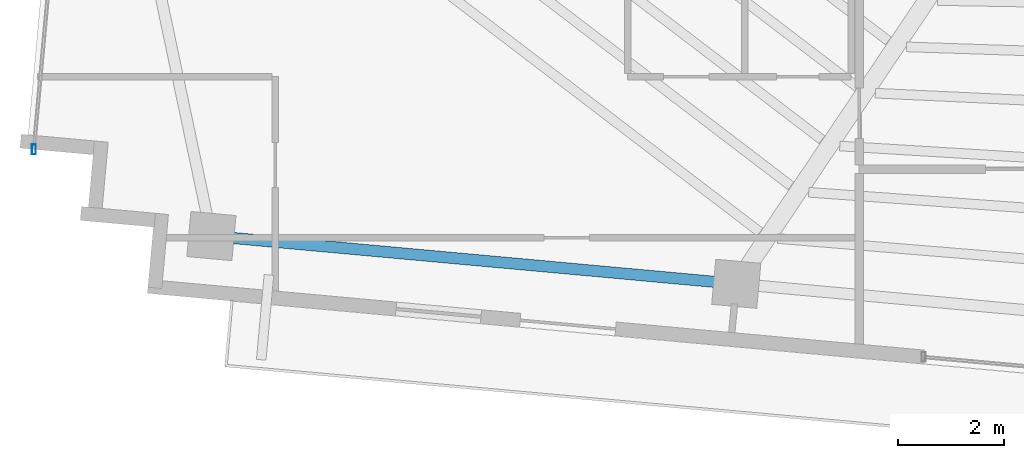
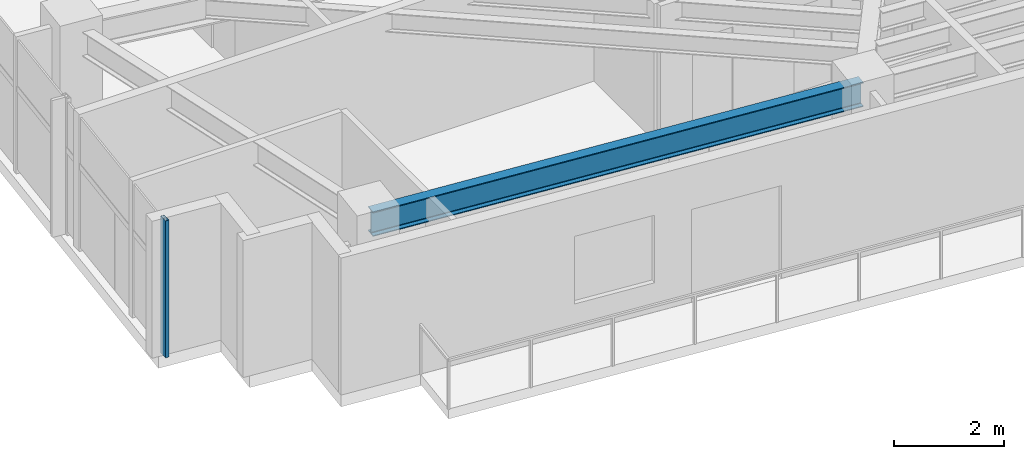
# One storey, part 2 of 22: 1 beam, 1 member, 1 element without a shape of its own.
"""IFC4 building model written with IfcOpenShell, lengths in metres."""

from ifc_helpers import new_model, si_unit, direction, frame, origin, origin_2d, place, context, subcontext, project, spatial, hollow_rectangle, i_section, extrude, source, transform, mapped, material, material_profile, profile_set, type_object, type_shapes, element, aggregate, save


model = new_model("IFC4")

# Units and contexts
model_context = context("Model", 3, precision=1e-05, world=origin(), true_north=direction((0.0, 1.0)))
body_context = subcontext(model_context, "Body", "Model", "MODEL_VIEW")
ifc_project = project(units=[si_unit("LENGTHUNIT", "METRE"), si_unit("AREAUNIT", "SQUARE_METRE"), si_unit("VOLUMEUNIT", "CUBIC_METRE"), si_unit("PLANEANGLEUNIT", "RADIAN"), si_unit("MASSUNIT", "GRAM", prefix="KILO")], contexts=[model_context])

# Site, building, storey
site_placement = place(None, origin())
site = spatial("IfcSite", under=ifc_project, at=site_placement, CompositionType="ELEMENT")
building_placement = place(site_placement, origin())
building = spatial("IfcBuilding", under=site, at=building_placement, Name="Astriad Promenade Condominiums", CompositionType="ELEMENT")
storey_placement = place(building_placement, frame((0.0, 0.0, 226.5)))
storey = spatial("IfcBuildingStorey", under=building, at=storey_placement, Name="L65", CompositionType="ELEMENT", Elevation=226.5)

# Beam
ifc_material_1 = material(Name="Steel ASTM A992 Grade 50", Category="steel")
ifc_material_profile_1 = material_profile(ifc_material_1, i_section(OverallWidth=0.210693359375, OverallDepth=0.53955078125, WebThickness=0.01171875, FlangeThickness=0.018798828125, FilletRadius=0.0166015625, at=origin_2d()), Name="W21X73")
ifc_profile_set_1 = profile_set([ifc_material_profile_1], Name="Steel ASTM A992 Grade 50")
beam_type = type_object("IfcBeamType", Name="STEEL SPANDREL BEAM W21X73", PredefinedType="SPANDREL", material=ifc_profile_set_1)
shared_shape_1 = source(origin(), body_context, "Body", "SweptSolid", [
    extrude(i_section(OverallWidth=0.210693359375, OverallDepth=0.53955078125, WebThickness=0.01171875, FlangeThickness=0.018798828125, FilletRadius=0.0166015625, at=origin_2d()), origin(), (0.0, 0.0, 1.0), 9.8203125),
])
type_shapes(beam_type, [shared_shape_1])
beam_placement = place(storey_placement, frame((12.421630859375, 12.102783203125, 2.770263671875), z_axis=(0.995883419264, -0.090643340822, 0.0), x_axis=(0.090643340822, 0.995883419264, 0.0)))
element("IfcBeam", 1, at=beam_placement, inside=storey, type_object=beam_type, Name="Perimeter Spandrel Beam SP-S1-L65", PredefinedType="SPANDREL", context=body_context, shape_type="MappedRepresentation", body=[
    mapped(shared_shape_1, transform((0.0, 0.0, 0.0), scale=1.0)),
])

# Curtain wall, member
ifc_material_2 = material(Name="Anodised aluminium Black Dark Glass Unitised", Category="aluminium")
curtain_wall_type = type_object("IfcCurtainWallType", Name="CW-B5-DARK", PredefinedType="USERDEFINED", material=ifc_material_2)
curtain_wall_placement = place(storey_placement, origin())
curtain_wall = element("IfcCurtainWall", 2, at=curtain_wall_placement, inside=storey, type_object=curtain_wall_type, Name="CW-L65-W", ObjectType="UNITISED_CURTAIN_WALL", PredefinedType="USERDEFINED")
ifc_material_3 = material(Name="Anodised aluminium 6063-T6 Black", Category="aluminium")
ifc_material_profile_2 = material_profile(ifc_material_3, hollow_rectangle(XDim=0.074951171875, YDim=0.18505859375, WallThickness=0.00439453125, at=origin_2d()), Name="ALU-MUL-75X185")
ifc_profile_set_2 = profile_set([ifc_material_profile_2], Name="Anodised aluminium 6063-T6 Black")
member_type = type_object("IfcMemberType", Name="MUL-ALU-MUL-75X185", PredefinedType="MULLION", material=ifc_profile_set_2)
shared_shape_2 = source(origin(), body_context, "Body", "SweptSolid", [
    extrude(hollow_rectangle(XDim=0.074951171875, YDim=0.18505859375, WallThickness=0.00439453125, at=origin_2d()), origin(), (0.0, 0.0, 1.0), 3.0400390625),
])
type_shapes(member_type, [shared_shape_2])
member_placement = place(storey_placement, frame((9.0458984375, 13.7353515625, 0.0), z_axis=(0.0, 0.0, 1.0), x_axis=(1.0, 0.0, 0.0)))
member = element("IfcMember", 3, at=member_placement, type_object=member_type, Name="CW-L65-W-MUL-00", PredefinedType="MULLION", context=body_context, shape_type="MappedRepresentation", body=[
    mapped(shared_shape_2, transform((0.0, 0.0, 0.0), scale=1.0)),
])
aggregate(curtain_wall, [member])

save(model, "model.ifc")
